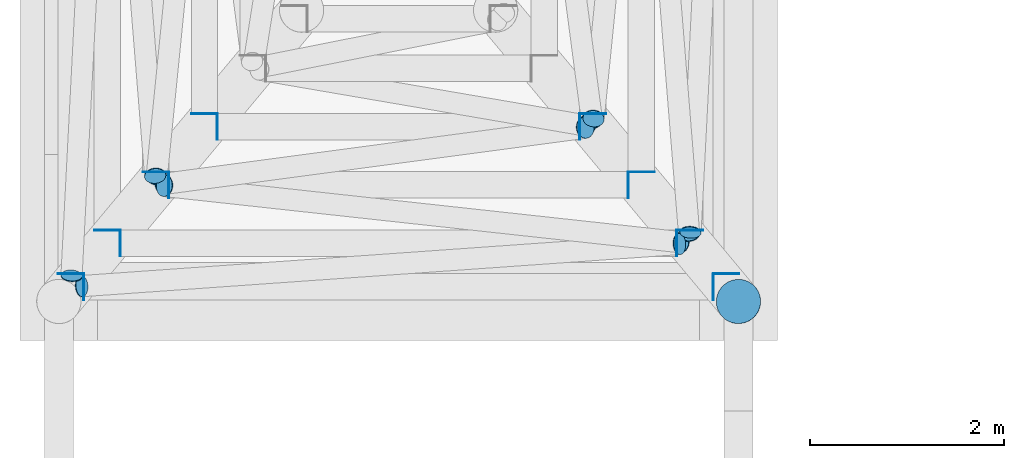
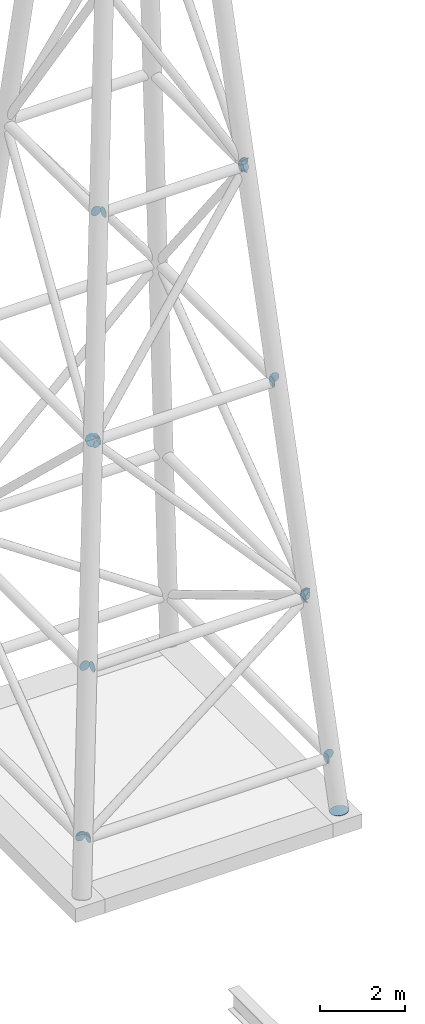
# One storey, part 2 of 4: 31 discrete accessories.
"""IFC4 building model written with IfcOpenShell, lengths in metres."""

import ifcopenshell
import ifcopenshell.guid

model = None  # the IFC model being written
_history = None  # IfcOwnerHistory: only IFC2X3 demands one
_inside = {}  # id of a spatial element -> (the spatial element, [elements in it])
_under = {}  # id of a project, library or spatial element -> (it, [spatial elements below it])
_declared = {}  # id of a project -> (the project, [libraries it declares])
_typed = {}  # id of a type object -> (the type object, [elements of that type])
_made_of = {}  # id of a material, layer set ... -> (it, [elements and type objects made of it])


def new_model(schema):
    """Start an empty IFC model of exactly this schema.

    Asked for "IFC4X3", IfcOpenShell would pick the latest addendum, in which some entities
    have other attributes; the version numbers below select the first issue.
    IFC2X3 requires an IfcOwnerHistory on every rooted entity: one is made here for all.
    """
    global model, _history
    if schema == "IFC4X3":
        model = ifcopenshell.file(schema_version=(4, 3, 0, 0))
    else:
        model = ifcopenshell.file(schema=schema)
    _inside.clear()
    _under.clear()
    _declared.clear()
    _typed.clear()
    _made_of.clear()
    _history = None
    if model.schema == "IFC2X3":
        org = make("IfcOrganization", Name="unknown")
        user = make(
            "IfcPersonAndOrganization",
            ThePerson=make("IfcPerson", FamilyName="unknown"),
            TheOrganization=org,
        )
        app = make(
            "IfcApplication",
            ApplicationDeveloper=org,
            Version="unknown",
            ApplicationFullName="unknown",
            ApplicationIdentifier="unknown",
        )
        _history = make(
            "IfcOwnerHistory",
            OwningUser=user,
            OwningApplication=app,
            ChangeAction="ADDED",
            CreationDate=0,
        )
    return model


def make(cls, **values):
    """One entity of the class cls with the attributes given. An attribute that is None is left unset."""
    return model.create_entity(
        cls, **{name: value for name, value in values.items() if value is not None}
    )


def rooted(cls, **values):
    """An entity with a GlobalId (a new one), such as an element, a storey or a relation."""
    return make(cls, GlobalId=ifcopenshell.guid.new(), OwnerHistory=_history, **values)


def si_unit(unit_type, name, prefix=None):
    """IfcSIUnit, for example si_unit("LENGTHUNIT", "METRE", prefix="MILLI")."""
    return make("IfcSIUnit", UnitType=unit_type, Prefix=prefix, Name=name)


def assignment(units):
    """IfcUnitAssignment: the units of a project."""
    return None if units is None else make("IfcUnitAssignment", Units=units)


def point(xyz):
    """IfcCartesianPoint."""
    return None if xyz is None else make("IfcCartesianPoint", Coordinates=xyz)


def direction(xyz):
    """IfcDirection."""
    return None if xyz is None else make("IfcDirection", DirectionRatios=xyz)


def frame(location, z_axis=None, x_axis=None):
    """IfcAxis2Placement3D, a coordinate frame: its origin and axes. An axis left out is left unset."""
    return make(
        "IfcAxis2Placement3D",
        Location=point(location),
        Axis=direction(z_axis),
        RefDirection=direction(x_axis),
    )


def frame_2d(location, x_axis=None):
    """IfcAxis2Placement2D, a coordinate frame in the plane: its origin and x axis."""
    return make(
        "IfcAxis2Placement2D", Location=point(location), RefDirection=direction(x_axis)
    )


def origin():
    """The frame at (0, 0, 0) with its axes left unset."""
    return frame((0.0, 0.0, 0.0))


def origin_2d():
    """The frame at (0, 0) in the plane with its x axis left unset."""
    return frame_2d((0.0, 0.0))


def place(relative_to, where):
    """IfcLocalPlacement: puts the frame where relative to a parent placement (None: the world)."""
    return make(
        "IfcLocalPlacement", PlacementRelTo=relative_to, RelativePlacement=where
    )


def context(
    kind, dimensions, precision=None, world=None, true_north=None, identifier=None
):
    """IfcGeometricRepresentationContext, for example the 3D "Model" context."""
    return make(
        "IfcGeometricRepresentationContext",
        ContextIdentifier=identifier,
        ContextType=kind,
        CoordinateSpaceDimension=dimensions,
        Precision=precision,
        WorldCoordinateSystem=world,
        TrueNorth=true_north,
    )


def subcontext(parent, identifier, kind, view, scale=None):
    """IfcGeometricRepresentationSubContext, for example "Body" below "Model"."""
    return make(
        "IfcGeometricRepresentationSubContext",
        ContextIdentifier=identifier,
        ContextType=kind,
        ParentContext=parent,
        TargetScale=scale,
        TargetView=view,
    )


def project(units=None, contexts=None):
    """IfcProject with its units and contexts."""
    return rooted(
        "IfcProject",
        Name="project",
        RepresentationContexts=contexts,
        UnitsInContext=assignment(units),
    )


def spatial(cls, under=None, at=None, **own):
    """A site, building, storey or space (cls), placed at a placement, below another one or the project."""
    s = rooted(cls, ObjectPlacement=at, **own)
    if under is not None:
        _under.setdefault(under.id(), (under, []))[1].append(s)
    return s


def profile(cls, at=None, kind="AREA", **sizes):
    """A parametric profile (cls). Its sizes go by their IFC names, for example OverallWidth=200.0."""
    return make(cls, ProfileType=kind, Position=at, **sizes)


def circle(**sizes):
    """IfcCircleProfileDef."""
    return profile("IfcCircleProfileDef", **sizes)


def extrude(swept, where, along, depth):
    """IfcExtrudedAreaSolid: the profile swept, set in the frame where, extruded along a direction by depth."""
    return make(
        "IfcExtrudedAreaSolid",
        SweptArea=swept,
        Position=where,
        ExtrudedDirection=direction(along),
        Depth=depth,
    )


def shape(context_of_items, identifier, shape_type, items):
    """IfcShapeRepresentation: the items that make up one representation, for example the "Body"."""
    return make(
        "IfcShapeRepresentation",
        ContextOfItems=context_of_items,
        RepresentationIdentifier=identifier,
        RepresentationType=shape_type,
        Items=items,
    )


def material(Name=None, Category=None):
    """IfcMaterial."""
    return make("IfcMaterial", Name=Name, Category=Category)


def material_profile(
    of_material, cross_section, Name=None, Category=None, Priority=None
):
    """IfcMaterialProfile: a cross section and its material."""
    return make(
        "IfcMaterialProfile",
        Name=Name,
        Material=of_material,
        Profile=cross_section,
        Priority=Priority,
        Category=Category,
    )


def profile_set(profiles, Name=None, composite=None):
    """IfcMaterialProfileSet."""
    return make(
        "IfcMaterialProfileSet",
        Name=Name,
        MaterialProfiles=profiles,
        CompositeProfile=composite,
    )


def made_of(thing, what):
    """Note that an element or type object is made of a material, layer set ...; save() writes the relation."""
    if what is not None:
        _made_of.setdefault(what.id(), (what, []))[1].append(thing)
    return thing


def type_object(cls, material=None, **own):
    """A type object (cls), such as IfcWallType, which elements share."""
    return made_of(rooted(cls, **own), material)


def element(
    cls,
    number,
    at=None,
    inside=None,
    cuts=None,
    type_object=None,
    material=None,
    context=None,
    identifier="Body",
    shape_type=None,
    held_by="IfcProductDefinitionShape",
    body=None,
    shapes=None,
    **own,
):
    """One element of the class cls, such as IfcWall. Its Tag is "e" and its number.

    at: its placement. inside: the storey or other place that contains it. cuts: it is an
    opening in that element (IfcRelVoidsElement). A single representation is given by context,
    identifier, shape_type and body (its items); several are given by shapes. held_by: the class
    of the entity that holds the representations. save() writes the other relations.
    """
    e = rooted(cls, Tag="e%d" % number, ObjectPlacement=at, **own)
    if body is not None:
        shapes = [shape(context, identifier, shape_type, body)]
    if shapes is not None:
        e.Representation = make(held_by, Representations=shapes)
    if inside is not None:
        _inside.setdefault(inside.id(), (inside, []))[1].append(e)
    if cuts is not None:
        rooted(
            "IfcRelVoidsElement", RelatingBuildingElement=cuts, RelatedOpeningElement=e
        )
    if type_object is not None:
        _typed.setdefault(type_object.id(), (type_object, []))[1].append(e)
    return made_of(e, material)


def aggregate(whole, parts):
    """IfcRelAggregates: a whole, such as a stair, and the parts it consists of."""
    return rooted("IfcRelAggregates", RelatingObject=whole, RelatedObjects=parts)


def save(model, path):
    """Write the relations noted so far, then the file.

    IfcRelAggregates (storeys below a building ...), IfcRelContainedInSpatialStructure (elements
    in a storey), IfcRelDefinesByType, IfcRelAssociatesMaterial and IfcRelDeclares: one each for
    every whole, place, type object, material and project.
    """
    for whole, parts in _under.values():
        aggregate(whole, parts)
    for where, things in _inside.values():
        rooted(
            "IfcRelContainedInSpatialStructure",
            RelatedElements=things,
            RelatingStructure=where,
        )
    for kind, things in _typed.values():
        rooted("IfcRelDefinesByType", RelatedObjects=things, RelatingType=kind)
    for what, things in _made_of.values():
        rooted("IfcRelAssociatesMaterial", RelatedObjects=things, RelatingMaterial=what)
    for by, libraries in _declared.values():
        rooted("IfcRelDeclares", RelatingContext=by, RelatedDefinitions=libraries)
    model.write(path)


model = new_model("IFC4")

# Units and contexts
model_context = context("Model", 3, precision=1e-05, world=origin(), true_north=direction((0.0, 1.0)))
body_context = subcontext(model_context, "Body", "Model", "MODEL_VIEW")
ifc_project = project(units=[si_unit("LENGTHUNIT", "METRE"), si_unit("AREAUNIT", "SQUARE_METRE"), si_unit("VOLUMEUNIT", "CUBIC_METRE"), si_unit("PLANEANGLEUNIT", "RADIAN"), si_unit("MASSUNIT", "GRAM", prefix="KILO")], contexts=[model_context])

# Site, building, storey
site_placement = place(None, origin())
site = spatial("IfcSite", under=ifc_project, at=site_placement, CompositionType="ELEMENT")
building_placement = place(site_placement, origin())
building = spatial("IfcBuilding", under=site, at=building_placement, Name="Wharfspan Tower", CompositionType="ELEMENT")
storey_placement = place(building_placement, frame((0.0, 0.0, 291.360107)))
storey = spatial("IfcBuildingStorey", under=building, at=storey_placement, Name="ROOF", CompositionType="ELEMENT", Elevation=291.360107)

# Discrete accessories
ifc_material = material(Name="Steel S460NH", Category="steel")
ifc_material_profile_1 = material_profile(ifc_material, circle(Radius=0.109619, at=origin_2d()))
ifc_profile_set_1 = profile_set([ifc_material_profile_1], Name="Steel S460NH")
discrete_accessory_type_1 = type_object("IfcDiscreteAccessoryType", Name="End plate CHS 219x8", PredefinedType="BRACKET", material=ifc_profile_set_1)
for number, where, z_axis, x_axis, name in (
    (1, (65.229736, 16.157471, 2.171631), (0.827302, 0.048665, 0.559645), (-0.058723, 0.998276, 1e-06), "End plate CHS 219x8"),
    (2, (71.386963, 16.592041, 6.517822), (0.827302, 0.048665, 0.559645), (-0.058723, 0.998276, 1e-06), "End plate CHS 219x8"),
):
    element("IfcDiscreteAccessory", number, at=place(storey_placement, frame(where, z_axis=z_axis, x_axis=x_axis)), inside=storey, type_object=discrete_accessory_type_1, Name=name, PredefinedType="BRACKET", context=body_context, shape_type="SweptSolid", body=[
        extrude(circle(Radius=0.109619, at=origin_2d()), origin(), (0.0, 0.0, 1.0), 0.01001),
    ])
discrete_accessory_1_placement = place(storey_placement, frame((71.506104, 16.717529, 6.524658), z_axis=(-0.049984, -0.849734, 0.524836), x_axis=(0.998277, -0.058723, -2e-06)))
element("IfcDiscreteAccessory", 3, at=discrete_accessory_1_placement, inside=storey, type_object=discrete_accessory_type_1, Name="End plate CHS 219x8", PredefinedType="BRACKET", context=body_context, shape_type="SweptSolid", body=[
    extrude(circle(Radius=0.109619, at=origin_2d()), origin(), (0.0, 0.0, 1.0), 0.009766),
])
discrete_accessory_2_placement = place(storey_placement, frame((65.130615, 16.259033, 2.165283), z_axis=(0.048941, 0.856465, 0.513879), x_axis=(-0.998372, 0.05705, 0.0)))
element("IfcDiscreteAccessory", 4, at=discrete_accessory_2_placement, inside=storey, type_object=discrete_accessory_type_1, Name="End plate CHS 219x8", PredefinedType="BRACKET", context=body_context, shape_type="SweptSolid", body=[
    extrude(circle(Radius=0.109619, at=origin_2d()), origin(), (0.0, 0.0, 1.0), 0.01001),
])
for number, where, z_axis, x_axis, name in (
    (5, (71.41333, 16.609375, 6.692139), (-0.667124, 0.074125, 0.741249), (-0.110432, -0.993887, 0.0), "End plate CHS 219x8"),
    (6, (66.093262, 17.189697, 12.49585), (-0.667124, 0.074125, 0.741249), (-0.110432, -0.993887, 0.0), "End plate CHS 219x8"),
):
    element("IfcDiscreteAccessory", number, at=place(storey_placement, frame(where, z_axis=z_axis, x_axis=x_axis)), inside=storey, type_object=discrete_accessory_type_1, Name=name, PredefinedType="BRACKET", context=body_context, shape_type="SweptSolid", body=[
        extrude(circle(Radius=0.109619, at=origin_2d()), origin(), (0.0, 0.0, 1.0), 0.009766),
    ])
discrete_accessory_3_placement = place(storey_placement, frame((71.492676, 16.692139, 6.686768), z_axis=(-0.072911, 0.72911, 0.680502), x_axis=(-0.99504, -0.099504, 0.0)))
element("IfcDiscreteAccessory", 7, at=discrete_accessory_3_placement, inside=storey, type_object=discrete_accessory_type_1, Name="End plate CHS 219x8", PredefinedType="BRACKET", context=body_context, shape_type="SweptSolid", body=[
    extrude(circle(Radius=0.109619, at=origin_2d()), origin(), (0.0, 0.0, 1.0), 0.01001),
])
discrete_accessory_4_placement = place(storey_placement, frame((65.991943, 17.299316, 12.501465), z_axis=(0.074216, -0.717418, 0.692679), x_axis=(0.994695, 0.102899, -1e-06)))
element("IfcDiscreteAccessory", 8, at=discrete_accessory_4_placement, inside=storey, type_object=discrete_accessory_type_1, Name="End plate CHS 219x8", PredefinedType="BRACKET", context=body_context, shape_type="SweptSolid", body=[
    extrude(circle(Radius=0.109619, at=origin_2d()), origin(), (0.0, 0.0, 1.0), 0.009766),
])
for number, where, z_axis, x_axis, name in (
    (9, (66.076904, 17.210205, 12.699951), (0.586588, 0.073324, 0.806559), (-0.124036, 0.992281, 0.0), "End plate CHS 219x8"),
    (10, (70.417236, 17.789062, 18.487061), (0.586588, 0.073324, 0.806559), (-0.124036, 0.992281, 0.0), "End plate CHS 219x8"),
    (11, (70.508789, 17.888428, 18.491455), (-0.073945, -0.640853, 0.764094), (0.993411, -0.114625, 0.0), "End plate CHS 219x8"),
    (12, (66.008057, 17.282227, 12.696045), (0.072569, 0.62893, 0.774068), (-0.993406, 0.114624, 0.0), "End plate CHS 219x8"),
    (13, (70.435547, 17.811035, 18.708252), (-0.512043, 0.097532, 0.853405), (-0.187112, -0.982338, 0.0), "End plate CHS 219x8"),
    (14, (70.490967, 17.868652, 18.705811), (-0.073302, 0.513112, 0.855186), (-0.98995, -0.141422, 0.0), "End plate CHS 219x8"),
):
    element("IfcDiscreteAccessory", number, at=place(storey_placement, frame(where, z_axis=z_axis, x_axis=x_axis)), inside=storey, type_object=discrete_accessory_type_1, Name=name, PredefinedType="BRACKET", context=body_context, shape_type="SweptSolid", body=[
        extrude(circle(Radius=0.109619, at=origin_2d()), origin(), (0.0, 0.0, 1.0), 0.01001),
    ])
ifc_material_profile_2 = material_profile(ifc_material, circle(Radius=0.136475, at=origin_2d()))
ifc_profile_set_2 = profile_set([ifc_material_profile_2], Name="Steel S460NH")
discrete_accessory_type_2 = type_object("IfcDiscreteAccessoryType", Name="End plate CHS 273x10", PredefinedType="BRACKET", material=ifc_profile_set_2)
for number, where, z_axis, x_axis, name in (
    (15, (65.253418, 16.149902, 2.097656), (1.0, 0.0, 0.0), (0.0, 1.0, 0.0), "End plate CHS 273x10"),
    (16, (71.736572, 16.149902, 2.097656), (1.0, 0.0, 0.0), (0.0, 1.0, 0.0), "End plate CHS 273x10"),
    (17, (71.875, 16.278564, 2.097656), (0.0, 1.0, 0.0), (-1.0, 0.0, 0.0), "End plate CHS 273x10"),
    (18, (65.125, 16.288574, 2.097656), (0.0, -1.0, 0.0), (1.0, 0.0, 0.0), "End plate CHS 273x10"),
    (19, (65.628418, 16.600098, 6.597656), (1.0, 0.0, 0.0), (0.0, 1.0, 0.0), "End plate CHS 273x10"),
    (20, (71.361572, 16.600098, 6.597656), (1.0, 0.0, 0.0), (0.0, 1.0, 0.0), "End plate CHS 273x10"),
    (21, (71.5, 16.728516, 6.597656), (0.0, 1.0, 0.0), (-1.0, 0.0, 0.0), "End plate CHS 273x10"),
    (22, (65.5, 16.738525, 6.597656), (0.0, -1.0, 0.0), (1.0, 0.0, 0.0), "End plate CHS 273x10"),
    (23, (66.128418, 17.199951, 12.597656), (1.0, 0.0, 0.0), (0.0, 1.0, 0.0), "End plate CHS 273x10"),
    (24, (70.861572, 17.199951, 12.597656), (1.0, 0.0, 0.0), (0.0, 1.0, 0.0), "End plate CHS 273x10"),
):
    element("IfcDiscreteAccessory", number, at=place(storey_placement, frame(where, z_axis=z_axis, x_axis=x_axis)), inside=storey, type_object=discrete_accessory_type_2, Name=name, PredefinedType="BRACKET", context=body_context, shape_type="SweptSolid", body=[
        extrude(circle(Radius=0.136475, at=origin_2d()), origin(), (0.0, 0.0, 1.0), 0.01001),
    ])
for number, where, z_axis, x_axis, name in (
    (25, (71.0, 17.328613, 12.597656), (0.0, 1.0, 0.0), (-1.0, 0.0, 0.0), "End plate CHS 273x10"),
    (26, (66.0, 17.338379, 12.597656), (0.0, -1.0, 0.0), (1.0, 0.0, 0.0), "End plate CHS 273x10"),
):
    element("IfcDiscreteAccessory", number, at=place(storey_placement, frame(where, z_axis=z_axis, x_axis=x_axis)), inside=storey, type_object=discrete_accessory_type_2, Name=name, PredefinedType="BRACKET", context=body_context, shape_type="SweptSolid", body=[
        extrude(circle(Radius=0.136475, at=origin_2d()), origin(), (0.0, 0.0, 1.0), 0.009766),
    ])
for number, where, z_axis, x_axis, name in (
    (27, (66.628418, 17.800049, 18.597656), (1.0, 0.0, 0.0), (0.0, 1.0, 0.0), "End plate CHS 273x10"),
    (28, (70.361572, 17.800049, 18.597656), (1.0, 0.0, 0.0), (0.0, 1.0, 0.0), "End plate CHS 273x10"),
    (29, (70.5, 17.928467, 18.597656), (0.0, 1.0, 0.0), (-1.0, 0.0, 0.0), "End plate CHS 273x10"),
    (30, (66.5, 17.938477, 18.597656), (0.0, -1.0, 0.0), (1.0, 0.0, 0.0), "End plate CHS 273x10"),
):
    element("IfcDiscreteAccessory", number, at=place(storey_placement, frame(where, z_axis=z_axis, x_axis=x_axis)), inside=storey, type_object=discrete_accessory_type_2, Name=name, PredefinedType="BRACKET", context=body_context, shape_type="SweptSolid", body=[
        extrude(circle(Radius=0.136475, at=origin_2d()), origin(), (0.0, 0.0, 1.0), 0.01001),
    ])
ifc_material_profile_3 = material_profile(ifc_material, circle(Radius=0.228516, at=origin_2d()))
ifc_profile_set_3 = profile_set([ifc_material_profile_3], Name="Steel S460NH")
discrete_accessory_type_3 = type_object("IfcDiscreteAccessoryType", Name="End plate CHS 457x16", PredefinedType="BRACKET", material=ifc_profile_set_3)
discrete_accessory_5_placement = place(storey_placement, frame((72.000732, 15.999023, 0.587646), z_axis=(-0.072633, 0.096844, 0.992646), x_axis=(-0.8, -0.6, 0.0)))
element("IfcDiscreteAccessory", 31, at=discrete_accessory_5_placement, inside=storey, type_object=discrete_accessory_type_3, Name="End plate CHS 457x16", PredefinedType="BRACKET", context=body_context, shape_type="SweptSolid", body=[
    extrude(circle(Radius=0.228516, at=origin_2d()), origin(), (0.0, 0.0, 1.0), 0.01001),
])

save(model, "model.ifc")
